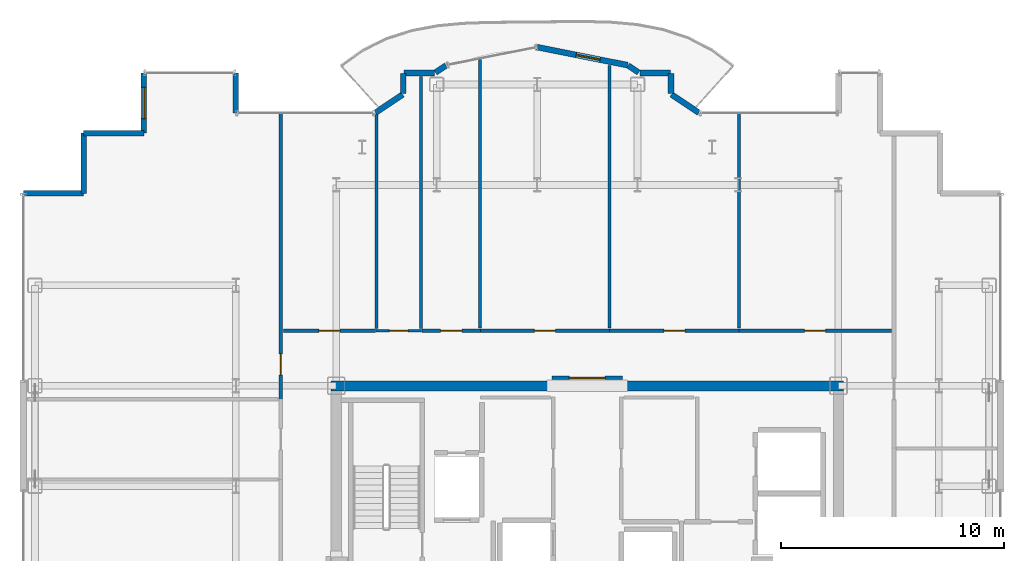
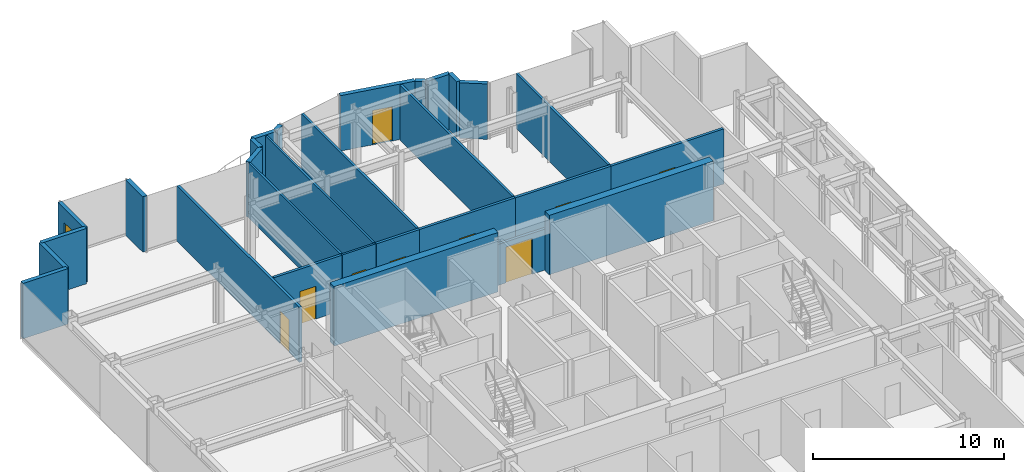
# One storey, part 14 of 16: 29 walls, 9 doors, 1 window, 10 openings.
"""IFC4 building model written with IfcOpenShell, lengths in metres."""

from ifc_helpers import new_model, si_unit, direction, frame, frame_2d, origin, place, context, subcontext, project, spatial, rectangle, extrude, source, transform, mapped, material, layer, layer_set, type_object, element, fill, save


model = new_model("IFC4")

# Units and contexts
model_context = context("Model", 3, precision=1e-05, world=origin(), true_north=direction((0.0, 1.0)))
body_context = subcontext(model_context, "Body", "Model", "MODEL_VIEW")
ifc_project = project(units=[si_unit("LENGTHUNIT", "METRE"), si_unit("AREAUNIT", "SQUARE_METRE"), si_unit("VOLUMEUNIT", "CUBIC_METRE"), si_unit("PLANEANGLEUNIT", "RADIAN"), si_unit("MASSUNIT", "GRAM", prefix="KILO")], contexts=[model_context])

# Site, building, storey
site_placement = place(None, origin())
site = spatial("IfcSite", under=ifc_project, at=site_placement, CompositionType="ELEMENT")
building_placement = place(site_placement, origin())
building = spatial("IfcBuilding", under=site, at=building_placement, Name="Nefas-Gora Pilgrimage Tower", CompositionType="ELEMENT")
storey_placement = place(building_placement, frame((0.0, 0.0, 276.0)))
storey = spatial("IfcBuildingStorey", under=building, at=storey_placement, Name="L69", CompositionType="ELEMENT", Elevation=276.0)

# Walls
ifc_material_1 = material(Name="Concrete C50/60", Category="concrete")
ifc_layer_1 = layer(ifc_material_1, 0.449951171875)
ifc_layer_set_1 = layer_set([ifc_layer_1], Name="Concrete C50/60")
wall_type_1 = type_object("IfcWallType", Name="SW-CORE-450", PredefinedType="SHEAR", material=ifc_layer_set_1)
shared_shape_1 = source(origin(), body_context, "Body", "SweptSolid", [
    extrude(rectangle(XDim=9.925048828125, YDim=0.449951171875, at=frame_2d((4.96240234375, 0.0))), origin(), (0.0, 0.0, 1.0), 3.800048828125),
])
for number, where, z_axis, x_axis, name in (
    (1, (-11.47509765625, 9.0, 0.0), (0.0, 0.0, 1.0), (1.0, 0.0, 0.0), "L69 Core Shear Wall N-West"),
    (2, (1.550048828125, 9.0, 0.0), (0.0, 0.0, 1.0), (1.0, 0.0, 0.0), "L69 Core Shear Wall N-East"),
):
    element("IfcWall", number, at=place(storey_placement, frame(where, z_axis=z_axis, x_axis=x_axis)), inside=storey, type_object=wall_type_1, Name=name, PredefinedType="SHEAR", context=body_context, shape_type="MappedRepresentation", body=[
        mapped(shared_shape_1, transform((0.0, 0.0, 0.0), x_axis=(1.0, 0.0, 0.0), y_axis=(0.0, 1.0, 0.0), z_axis=(0.0, 0.0, 1.0), scale=1.0)),
    ])
ifc_material_2 = material(Name="Precast concrete C40/50", Category="concrete")
ifc_layer_2 = layer(ifc_material_2, 0.260009765625)
ifc_layer_set_2 = layer_set([ifc_layer_2], Name="Precast concrete C40/50")
wall_type_2 = type_object("IfcWallType", Name="EW-PORTAL-260", PredefinedType="SOLIDWALL", material=ifc_layer_set_2)
shared_shape_2 = source(origin(), body_context, "Body", "SweptSolid", [
    extrude(rectangle(XDim=1.800048828125, YDim=0.260009765625, at=frame_2d((0.89990234375, 0.0))), origin(), (0.0, 0.0, 1.0), 3.550048828125),
])
wall_1_placement = place(storey_placement, frame((-15.75, 21.219970703125, 0.0), z_axis=(0.0, 0.0, 1.0), x_axis=(0.0, 1.0, 0.0)))
element("IfcWall", 3, at=wall_1_placement, inside=storey, type_object=wall_type_2, Name="L69 Lobe Shoulder Precast Spandrel Pier 20", PredefinedType="SOLIDWALL", context=body_context, shape_type="MappedRepresentation", body=[
    mapped(shared_shape_2, transform((0.0, 0.0, 0.0), x_axis=(1.0, 0.0, 0.0), y_axis=(0.0, 1.0, 0.0), z_axis=(0.0, 0.0, 1.0), scale=1.0)),
])

# Wall, opening, window
ifc_material_3 = material(Name="Precast concrete C45/55", Category="concrete")
ifc_layer_3 = layer(ifc_material_3, 0.239990234375)
ifc_layer_set_3 = layer_set([ifc_layer_3], Name="Precast concrete C45/55")
wall_type_3 = type_object("IfcWallType", Name="EW-SERR-240", PredefinedType="SHEAR", material=ifc_layer_set_3)
shared_shape_3 = source(origin(), body_context, "Body", "SweptSolid", [
    extrude(rectangle(XDim=2.699951171875, YDim=0.239990234375, at=frame_2d((1.35009765625, 0.0))), origin(), (0.0, 0.0, 1.0), 3.550048828125),
])
wall_2_placement = place(storey_placement, frame((-19.8701171875, 23.02001953125, 0.0), z_axis=(0.0, 0.0, 1.0), x_axis=(0.0, -1.0, 0.0)))
wall_2 = element("IfcWall", 4, at=wall_2_placement, inside=storey, type_object=wall_type_3, Name="L69 Serrated Corner Shear Pier Wall 21", PredefinedType="SHEAR", context=body_context, shape_type="MappedRepresentation", body=[
    mapped(shared_shape_3, transform((0.0, 0.0, 0.0), x_axis=(1.0, 0.0, 0.0), y_axis=(0.0, 1.0, 0.0), z_axis=(0.0, 0.0, 1.0), scale=1.0)),
])
opening_1_placement = place(wall_2_placement, frame((0.64990234375, 0.0, 0.85009765625)))
opening_1 = element("IfcOpeningElement", 5, at=opening_1_placement, cuts=wall_2, Name="Opening W-V2", PredefinedType="OPENING", context=body_context, shape_type="SweptSolid", body=[
    extrude(rectangle(XDim=1.39990234375, YDim=1.800048828125, at=frame_2d((0.699951171875, 0.89990234375))), frame((0.0, 0.1298828125, 0.0), z_axis=(0.0, -1.0, 0.0), x_axis=(1.0, 0.0, 0.0)), (0.0, 0.0, 1.0), 0.260009765625),
])
ifc_material_4 = material(Name="Dark ceramic-fritted operable aluminium-glass window", Category="aluminium")
window_type = type_object("IfcWindowType", Name="WIN-VENT-1400x1800", PartitioningType="SINGLE_PANEL", PredefinedType="WINDOW", material=ifc_material_4)
shared_shape_4 = source(origin(), body_context, "Body", "SweptSolid", [
    extrude(rectangle(XDim=1.39990234375, YDim=1.800048828125, at=frame_2d((0.699951171875, 0.89990234375))), frame((0.0, 0.030029296875, 0.0), z_axis=(0.0, -1.0, 0.0), x_axis=(1.0, 0.0, 0.0)), (0.0, 0.0, 1.0), 0.06005859375),
])
window_placement = place(opening_1_placement, origin())
window = element("IfcWindow", 6, at=window_placement, inside=storey, type_object=window_type, Name="L69 Operable Parallel-Outswing Window 21", OverallHeight=1.800048828125, OverallWidth=1.39990234375, PartitioningType="SINGLE_PANEL", PredefinedType="WINDOW", context=body_context, shape_type="MappedRepresentation", body=[
    mapped(shared_shape_4, transform((0.0, 0.0, 0.0), x_axis=(1.0, 0.0, 0.0), y_axis=(0.0, 1.0, 0.0), z_axis=(0.0, 0.0, 1.0), scale=1.0)),
])
fill(opening_1, window)

# Walls
for number, where, z_axis, x_axis, name in (
    (7, (-19.8701171875, 20.320068359375, 0.0), (0.0, 0.0, 1.0), (-1.0, 0.0, 0.0), "L69 Serrated Corner Shear Pier Wall 22"),
    (8, (-22.570068359375, 20.320068359375, 0.0), (0.0, 0.0, 1.0), (0.0, -1.0, 0.0), "L69 Serrated Corner Shear Pier Wall 23"),
    (9, (-22.570068359375, 17.6201171875, 0.0), (0.0, 0.0, 1.0), (-1.0, 0.0, 0.0), "L69 Serrated Corner Shear Pier Wall 24"),
):
    element("IfcWall", number, at=place(storey_placement, frame(where, z_axis=z_axis, x_axis=x_axis)), inside=storey, type_object=wall_type_3, Name=name, PredefinedType="SHEAR", context=body_context, shape_type="MappedRepresentation", body=[
        mapped(shared_shape_3, transform((0.0, 0.0, 0.0), x_axis=(1.0, 0.0, 0.0), y_axis=(0.0, 1.0, 0.0), z_axis=(0.0, 0.0, 1.0), scale=1.0)),
    ])
shared_shape_5 = source(origin(), body_context, "Body", "SweptSolid", [
    extrude(rectangle(XDim=1.468994140625, YDim=0.260009765625, at=frame_2d((0.734375, 0.0))), origin(), (0.0, 0.0, 1.0), 3.550048828125),
])
for number, where, z_axis, x_axis, name in (
    (10, (4.99462890625, 21.235595703125, 0.0), (0.0, 0.0, 1.0), (-0.831461760506, 0.555581983884, 0.0), "L69 Lobe Shoulder Precast Spandrel Pier 11"),
    (11, (-8.273193359375, 22.0517578125, 0.0), (0.0, 0.0, 1.0), (-0.831461760506, -0.555581983884, 0.0), "L69 Lobe Shoulder Precast Spandrel Pier 19"),
):
    element("IfcWall", number, at=place(storey_placement, frame(where, z_axis=z_axis, x_axis=x_axis)), inside=storey, type_object=wall_type_2, Name=name, PredefinedType="SOLIDWALL", context=body_context, shape_type="MappedRepresentation", body=[
        mapped(shared_shape_5, transform((0.0, 0.0, 0.0), x_axis=(1.0, 0.0, 0.0), y_axis=(0.0, 1.0, 0.0), z_axis=(0.0, 0.0, 1.0), scale=1.0)),
    ])
shared_shape_6 = source(origin(), body_context, "Body", "SweptSolid", [
    extrude(rectangle(XDim=0.896728515625, YDim=0.260009765625, at=frame_2d((0.4482421875, 0.0))), origin(), (0.0, 0.0, 1.0), 3.550048828125),
])
for number, where, z_axis, x_axis, name in (
    (12, (3.75, 22.09521484375, 0.0), (0.0, 0.0, 1.0), (0.0, 1.0, 0.0), "L69 Lobe Shoulder Precast Spandrel Pier 12"),
    (13, (-8.25, 22.991943359375, 0.0), (0.0, 0.0, 1.0), (0.0, -1.0, 0.0), "L69 Lobe Shoulder Precast Spandrel Pier 18"),
):
    element("IfcWall", number, at=place(storey_placement, frame(where, z_axis=z_axis, x_axis=x_axis)), inside=storey, type_object=wall_type_2, Name=name, PredefinedType="SOLIDWALL", context=body_context, shape_type="MappedRepresentation", body=[
        mapped(shared_shape_6, transform((0.0, 0.0, 0.0), x_axis=(1.0, 0.0, 0.0), y_axis=(0.0, 1.0, 0.0), z_axis=(0.0, 0.0, 1.0), scale=1.0)),
    ])
shared_shape_7 = source(origin(), body_context, "Body", "SweptSolid", [
    extrude(rectangle(XDim=1.369873046875, YDim=0.260009765625, at=frame_2d((0.68505859375, 0.0))), origin(), (0.0, 0.0, 1.0), 3.550048828125),
])
for number, where, z_axis, x_axis, name in (
    (14, (3.721923828125, 23.02001953125, 0.0), (0.0, 0.0, 1.0), (-1.0, 0.0, 0.0), "L69 Lobe Shoulder Precast Spandrel Pier 13"),
    (15, (-6.85205078125, 23.02001953125, 0.0), (0.0, 0.0, 1.0), (-1.0, 0.0, 0.0), "L69 Lobe Shoulder Precast Spandrel Pier 17"),
):
    element("IfcWall", number, at=place(storey_placement, frame(where, z_axis=z_axis, x_axis=x_axis)), inside=storey, type_object=wall_type_2, Name=name, PredefinedType="SOLIDWALL", context=body_context, shape_type="MappedRepresentation", body=[
        mapped(shared_shape_7, transform((0.0, 0.0, 0.0), x_axis=(1.0, 0.0, 0.0), y_axis=(0.0, 1.0, 0.0), z_axis=(0.0, 0.0, 1.0), scale=1.0)),
    ])
shared_shape_8 = source(origin(), body_context, "Body", "SweptSolid", [
    extrude(rectangle(XDim=0.5654296875, YDim=0.260009765625, at=frame_2d((0.28271484375, 0.0))), origin(), (0.0, 0.0, 1.0), 3.550048828125),
])
for number, where, z_axis, x_axis, name in (
    (16, (2.30078125, 23.03564453125, 0.0), (0.0, 0.0, 1.0), (-0.831651492666, 0.555297933317, 0.0), "L69 Lobe Shoulder Precast Spandrel Pier 14"),
    (17, (-6.33056640625, 23.349609375, 0.0), (0.0, 0.0, 1.0), (-0.831651492666, -0.555297933317, 0.0), "L69 Lobe Shoulder Precast Spandrel Pier 16"),
):
    element("IfcWall", number, at=place(storey_placement, frame(where, z_axis=z_axis, x_axis=x_axis)), inside=storey, type_object=wall_type_2, Name=name, PredefinedType="SOLIDWALL", context=body_context, shape_type="MappedRepresentation", body=[
        mapped(shared_shape_8, transform((0.0, 0.0, 0.0), x_axis=(1.0, 0.0, 0.0), y_axis=(0.0, 1.0, 0.0), z_axis=(0.0, 0.0, 1.0), scale=1.0)),
    ])

# Wall, opening, door
shared_shape_9 = source(origin(), body_context, "Body", "SweptSolid", [
    extrude(rectangle(XDim=4.136962890625, YDim=0.260009765625, at=frame_2d((2.068359375, 0.0))), origin(), (0.0, 0.0, 1.0), 3.550048828125),
])
wall_3_placement = place(storey_placement, frame((1.807373046875, 23.365234375, 0.0), z_axis=(0.0, 0.0, 1.0), x_axis=(-0.980782170794, 0.195105954428, 0.0)))
wall_3 = element("IfcWall", 18, at=wall_3_placement, inside=storey, type_object=wall_type_2, Name="L69 Insulated Terrace Portal Wall 15", PredefinedType="SOLIDWALL", context=body_context, shape_type="MappedRepresentation", body=[
    mapped(shared_shape_9, transform((0.0, 0.0, 0.0), x_axis=(1.0, 0.0, 0.0), y_axis=(0.0, 1.0, 0.0), z_axis=(0.0, 0.0, 1.0), scale=1.0)),
])
opening_2_placement = place(wall_3_placement, frame((1.2607421875, 0.0, 0.0)))
opening_2 = element("IfcOpeningElement", 19, at=opening_2_placement, cuts=wall_3, Name="Opening ED-B1", PredefinedType="OPENING", context=body_context, shape_type="SweptSolid", body=[
    extrude(rectangle(XDim=1.10009765625, YDim=2.199951171875, at=frame_2d((0.550048828125, 1.10009765625))), frame((0.0, 0.139892578125, 0.0), z_axis=(0.0, -1.0, 0.0), x_axis=(1.0, 0.0, 0.0)), (0.0, 0.0, 1.0), 0.280029296875),
])
ifc_material_5 = material(Name="Thermally broken glazed aluminium balcony door", Category="aluminium")
door_type_1 = type_object("IfcDoorType", Name="DR-EXT-BAL-1100", OperationType="NOTDEFINED", PredefinedType="DOOR", material=ifc_material_5)
shared_shape_10 = source(origin(), body_context, "Body", "SweptSolid", [
    extrude(rectangle(XDim=1.10009765625, YDim=2.199951171875, at=frame_2d((0.550048828125, 1.10009765625))), frame((0.0, 0.02490234375, 0.0), z_axis=(0.0, -1.0, 0.0), x_axis=(1.0, 0.0, 0.0)), (0.0, 0.0, 1.0), 0.050048828125),
])
door_1_placement = place(opening_2_placement, origin())
door_1 = element("IfcDoor", 20, at=door_1_placement, inside=storey, type_object=door_type_1, Name="L69 Exterior Door (L69 N Lobe Wave Balcony)", OperationType="SINGLE_SWING_LEFT", OverallHeight=2.199951171875, OverallWidth=1.10009765625, PredefinedType="DOOR", context=body_context, shape_type="MappedRepresentation", body=[
    mapped(shared_shape_10, transform((0.0, 0.0, 0.0), x_axis=(1.0, 0.0, 0.0), y_axis=(0.0, 1.0, 0.0), z_axis=(0.0, 0.0, 1.0), scale=1.0)),
])
fill(opening_2, door_1)

ifc_material_6 = material(Name="Moisture-resistant fire-rated gypsum partition")
ifc_layer_4 = layer(ifc_material_6, 0.1201171875)
ifc_layer_set_4 = layer_set([ifc_layer_4], Name="Moisture-resistant fire-rated gypsum partition")
wall_type_4 = type_object("IfcWallType", Name="IW-WET-120", PredefinedType="PLUMBINGWALL", material=ifc_layer_set_4)
shared_shape_11 = source(origin(), body_context, "Body", "SweptSolid", [
    extrude(rectangle(XDim=2.02001953125, YDim=0.1201171875, at=frame_2d((1.010009765625, 0.0))), origin(), (0.0, 0.0, 1.0), 3.534912109375),
])
wall_4_placement = place(storey_placement, frame((-9.4599609375, 11.469970703125, 0.0), z_axis=(0.0, 0.0, 1.0), x_axis=(1.0, 0.0, 0.0)))
wall_4 = element("IfcWall", 21, at=wall_4_placement, inside=storey, type_object=wall_type_4, Name="L69 Accessible Unisex WC Partition Wall 30", PredefinedType="PLUMBINGWALL", context=body_context, shape_type="MappedRepresentation", body=[
    mapped(shared_shape_11, transform((0.0, 0.0, 0.0), x_axis=(1.0, 0.0, 0.0), y_axis=(0.0, 1.0, 0.0), z_axis=(0.0, 0.0, 1.0), scale=1.0)),
])
opening_3_placement = place(wall_4_placement, frame((0.5849609375, 0.0, 0.0)))
opening_3 = element("IfcOpeningElement", 22, at=opening_3_placement, cuts=wall_4, Name="Opening ID-BT1", PredefinedType="OPENING", context=body_context, shape_type="SweptSolid", body=[
    extrude(rectangle(XDim=0.85009765625, YDim=2.10009765625, at=frame_2d((0.425048828125, 1.050048828125))), frame((0.0, 0.070068359375, 0.0), z_axis=(0.0, -1.0, 0.0), x_axis=(1.0, 0.0, 0.0)), (0.0, 0.0, 1.0), 0.14013671875),
])
ifc_material_7 = material(Name="Moisture-resistant fire-rated timber door", Category="wood")
door_type_2 = type_object("IfcDoorType", Name="DR-INT-BATH-850", OperationType="NOTDEFINED", PredefinedType="DOOR", material=ifc_material_7)
shared_shape_12 = source(origin(), body_context, "Body", "SweptSolid", [
    extrude(rectangle(XDim=0.85009765625, YDim=2.10009765625, at=frame_2d((0.425048828125, 1.050048828125))), frame((0.0, 0.02490234375, 0.0), z_axis=(0.0, -1.0, 0.0), x_axis=(1.0, 0.0, 0.0)), (0.0, 0.0, 1.0), 0.050048828125),
])
door_2_placement = place(opening_3_placement, origin())
door_2 = element("IfcDoor", 23, at=door_2_placement, inside=storey, type_object=door_type_2, Name="L69 Accessible Unisex WC Door 13", OperationType="SINGLE_SWING_LEFT", OverallHeight=2.10009765625, OverallWidth=0.85009765625, PredefinedType="DOOR", context=body_context, shape_type="MappedRepresentation", body=[
    mapped(shared_shape_12, transform((0.0, 0.0, 0.0), x_axis=(1.0, 0.0, 0.0), y_axis=(0.0, 1.0, 0.0), z_axis=(0.0, 0.0, 1.0), scale=1.0)),
])
fill(opening_3, door_2)

# Walls
shared_shape_13 = source(origin(), body_context, "Body", "SweptSolid", [
    extrude(rectangle(XDim=11.280029296875, YDim=0.1201171875, at=frame_2d((5.64013671875, 0.0))), origin(), (0.0, 0.0, 1.0), 3.534912109375),
])
wall_5_placement = place(storey_placement, frame((-7.449951171875, 11.570068359375, 0.0), z_axis=(0.0, 0.0, 1.0), x_axis=(0.0, 1.0, 0.0)))
element("IfcWall", 24, at=wall_5_placement, inside=storey, type_object=wall_type_4, Name="L69 Accessible Unisex WC Partition Wall 31", PredefinedType="PLUMBINGWALL", context=body_context, shape_type="MappedRepresentation", body=[
    mapped(shared_shape_13, transform((0.0, 0.0, 0.0), x_axis=(1.0, 0.0, 0.0), y_axis=(0.0, 1.0, 0.0), z_axis=(0.0, 0.0, 1.0), scale=1.0)),
])
shared_shape_14 = source(origin(), body_context, "Body", "SweptSolid", [
    extrude(rectangle(XDim=9.586669921875, YDim=0.1201171875, at=frame_2d((4.79345703125, 0.0))), origin(), (0.0, 0.0, 1.0), 3.534912109375),
])
wall_6_placement = place(storey_placement, frame((-9.449951171875, 11.570068359375, 0.0), z_axis=(0.0, 0.0, 1.0), x_axis=(0.0, 1.0, 0.0)))
element("IfcWall", 25, at=wall_6_placement, inside=storey, type_object=wall_type_4, Name="L69 Accessible Unisex WC Partition Wall 32", PredefinedType="PLUMBINGWALL", context=body_context, shape_type="MappedRepresentation", body=[
    mapped(shared_shape_14, transform((0.0, 0.0, 0.0), x_axis=(1.0, 0.0, 0.0), y_axis=(0.0, 1.0, 0.0), z_axis=(0.0, 0.0, 1.0), scale=1.0)),
])

# Wall, opening, door
ifc_material_8 = material(Name="Gypsum acoustic stud partition")
ifc_layer_5 = layer(ifc_material_8, 0.159912109375)
ifc_layer_set_5 = layer_set([ifc_layer_5], Name="Gypsum acoustic stud partition")
wall_type_5 = type_object("IfcWallType", Name="IW-CORR-160", PredefinedType="PARTITIONING", material=ifc_layer_set_5)
shared_shape_15 = source(origin(), body_context, "Body", "SweptSolid", [
    extrude(rectangle(XDim=4.125, YDim=0.159912109375, at=frame_2d((2.0625, 0.0))), origin(), (0.0, 0.0, 1.0), 3.534912109375),
])
wall_7_placement = place(storey_placement, frame((-13.6201171875, 11.469970703125, 0.0), z_axis=(0.0, 0.0, 1.0), x_axis=(1.0, 0.0, 0.0)))
wall_7 = element("IfcWall", 26, at=wall_7_placement, inside=storey, type_object=wall_type_5, Name="L69 Pilgrim Contemplative Lounge Partition Wall 47", PredefinedType="PARTITIONING", context=body_context, shape_type="MappedRepresentation", body=[
    mapped(shared_shape_15, transform((0.0, 0.0, 0.0), x_axis=(1.0, 0.0, 0.0), y_axis=(0.0, 1.0, 0.0), z_axis=(0.0, 0.0, 1.0), scale=1.0)),
])
opening_4_placement = place(wall_7_placement, frame((1.58740234375, 0.0, 0.0)))
opening_4 = element("IfcOpeningElement", 27, at=opening_4_placement, cuts=wall_7, Name="Opening ID-GR1", PredefinedType="OPENING", context=body_context, shape_type="SweptSolid", body=[
    extrude(rectangle(XDim=0.949951171875, YDim=2.10009765625, at=frame_2d((0.47509765625, 1.050048828125))), frame((0.0, 0.08984375, 0.0), z_axis=(0.0, -1.0, 0.0), x_axis=(1.0, 0.0, 0.0)), (0.0, 0.0, 1.0), 0.179931640625),
])
ifc_material_9 = material(Name="Solid core oak fire-rated guest entrance door")
door_type_3 = type_object("IfcDoorType", Name="DR-INT-GUEST-950", OperationType="NOTDEFINED", PredefinedType="DOOR", material=ifc_material_9)
shared_shape_16 = source(origin(), body_context, "Body", "SweptSolid", [
    extrude(rectangle(XDim=0.949951171875, YDim=2.10009765625, at=frame_2d((0.47509765625, 1.050048828125))), frame((0.0, 0.02490234375, 0.0), z_axis=(0.0, -1.0, 0.0), x_axis=(1.0, 0.0, 0.0)), (0.0, 0.0, 1.0), 0.050048828125),
])
door_3_placement = place(opening_4_placement, origin())
door_3 = element("IfcDoor", 28, at=door_3_placement, inside=storey, type_object=door_type_3, Name="L69 Pilgrim Contemplative Lounge Door 22", OperationType="SINGLE_SWING_RIGHT", OverallHeight=2.10009765625, OverallWidth=0.949951171875, PredefinedType="DOOR", context=body_context, shape_type="MappedRepresentation", body=[
    mapped(shared_shape_16, transform((0.0, 0.0, 0.0), x_axis=(1.0, 0.0, 0.0), y_axis=(0.0, 1.0, 0.0), z_axis=(0.0, 0.0, 1.0), scale=1.0)),
])
fill(opening_4, door_3)

# Wall
ifc_material_10 = material(Name="Gypsum twin-stud partition")
ifc_layer_6 = layer(ifc_material_10, 0.139892578125)
ifc_layer_set_6 = layer_set([ifc_layer_6], Name="Gypsum twin-stud partition")
wall_type_6 = type_object("IfcWallType", Name="IW-UNIT-140", PredefinedType="PARTITIONING", material=ifc_layer_set_6)
shared_shape_17 = source(origin(), body_context, "Body", "SweptSolid", [
    extrude(rectangle(XDim=9.64990234375, YDim=0.139892578125, at=frame_2d((4.824951171875, 0.0))), origin(), (0.0, 0.0, 1.0), 3.534912109375),
])
wall_8_placement = place(storey_placement, frame((6.794921875, 11.590087890625, 0.0), z_axis=(0.0, 0.0, 1.0), x_axis=(0.0, 1.0, 0.0)))
element("IfcWall", 29, at=wall_8_placement, inside=storey, type_object=wall_type_6, Name="L69 Pilgrim Contemplative Lounge Partition Wall 53", PredefinedType="PARTITIONING", context=body_context, shape_type="MappedRepresentation", body=[
    mapped(shared_shape_17, transform((0.0, 0.0, 0.0), x_axis=(1.0, 0.0, 0.0), y_axis=(0.0, 1.0, 0.0), z_axis=(0.0, 0.0, 1.0), scale=1.0)),
])

# Wall, opening, door
shared_shape_18 = source(origin(), body_context, "Body", "SweptSolid", [
    extrude(rectangle(XDim=12.844970703125, YDim=0.159912109375, at=frame_2d((6.42236328125, 0.0))), origin(), (0.0, 0.0, 1.0), 3.534912109375),
])
wall_9_placement = place(storey_placement, frame((-13.739990234375, 8.39501953125, 0.0), z_axis=(0.0, 0.0, 1.0), x_axis=(0.0, 1.0, 0.0)))
wall_9 = element("IfcWall", 30, at=wall_9_placement, inside=storey, type_object=wall_type_5, Name="L69 Pilgrim Fellowship Seminar Room Partition Wall 41", PredefinedType="PARTITIONING", context=body_context, shape_type="MappedRepresentation", body=[
    mapped(shared_shape_18, transform((0.0, 0.0, 0.0), x_axis=(1.0, 0.0, 0.0), y_axis=(0.0, 1.0, 0.0), z_axis=(0.0, 0.0, 1.0), scale=1.0)),
])
opening_5_placement = place(wall_9_placement, frame((1.08251953125, 0.0, 0.0)))
opening_5 = element("IfcOpeningElement", 31, at=opening_5_placement, cuts=wall_9, Name="Opening ID-GR1", PredefinedType="OPENING", context=body_context, shape_type="SweptSolid", body=[
    extrude(rectangle(XDim=0.949951171875, YDim=2.10009765625, at=frame_2d((0.47509765625, 1.050048828125))), frame((0.0, 0.08984375, 0.0), z_axis=(0.0, -1.0, 0.0), x_axis=(1.0, 0.0, 0.0)), (0.0, 0.0, 1.0), 0.179931640625),
])
door_4_placement = place(opening_5_placement, origin())
door_4 = element("IfcDoor", 32, at=door_4_placement, inside=storey, type_object=door_type_3, Name="L69 Pilgrim Fellowship Seminar Room Door 18", OperationType="SINGLE_SWING_RIGHT", OverallHeight=2.10009765625, OverallWidth=0.949951171875, PredefinedType="DOOR", context=body_context, shape_type="MappedRepresentation", body=[
    mapped(shared_shape_16, transform((0.0, 0.0, 0.0), x_axis=(1.0, 0.0, 0.0), y_axis=(0.0, 1.0, 0.0), z_axis=(0.0, 0.0, 1.0), scale=1.0)),
])
fill(opening_5, door_4)

shared_shape_19 = source(origin(), body_context, "Body", "SweptSolid", [
    extrude(rectangle(XDim=2.610107421875, YDim=0.159912109375, at=frame_2d((1.30517578125, 0.0))), origin(), (0.0, 0.0, 1.0), 3.534912109375),
])
wall_10_placement = place(storey_placement, frame((-7.405029296875, 11.469970703125, 0.0), z_axis=(0.0, 0.0, 1.0), x_axis=(1.0, 0.0, 0.0)))
wall_10 = element("IfcWall", 33, at=wall_10_placement, inside=storey, type_object=wall_type_5, Name="L69 Pilgrim Contemplative Lounge Partition Wall 48", PredefinedType="PARTITIONING", context=body_context, shape_type="MappedRepresentation", body=[
    mapped(shared_shape_19, transform((0.0, 0.0, 0.0), x_axis=(1.0, 0.0, 0.0), y_axis=(0.0, 1.0, 0.0), z_axis=(0.0, 0.0, 1.0), scale=1.0)),
])
opening_6_placement = place(wall_10_placement, frame((0.830078125, 0.0, 0.0)))
opening_6 = element("IfcOpeningElement", 34, at=opening_6_placement, cuts=wall_10, Name="Opening ID-GR1", PredefinedType="OPENING", context=body_context, shape_type="SweptSolid", body=[
    extrude(rectangle(XDim=0.949951171875, YDim=2.10009765625, at=frame_2d((0.47509765625, 1.050048828125))), frame((0.0, 0.08984375, 0.0), z_axis=(0.0, -1.0, 0.0), x_axis=(1.0, 0.0, 0.0)), (0.0, 0.0, 1.0), 0.179931640625),
])
door_5_placement = place(opening_6_placement, origin())
door_5 = element("IfcDoor", 35, at=door_5_placement, inside=storey, type_object=door_type_3, Name="L69 Pilgrim Contemplative Lounge Door 23", OperationType="SINGLE_SWING_LEFT", OverallHeight=2.10009765625, OverallWidth=0.949951171875, PredefinedType="DOOR", context=body_context, shape_type="MappedRepresentation", body=[
    mapped(shared_shape_16, transform((0.0, 0.0, 0.0), x_axis=(1.0, 0.0, 0.0), y_axis=(0.0, 1.0, 0.0), z_axis=(0.0, 0.0, 1.0), scale=1.0)),
])
fill(opening_6, door_5)

# Wall
shared_shape_20 = source(origin(), body_context, "Body", "SweptSolid", [
    extrude(rectangle(XDim=12.096435546875, YDim=0.139892578125, at=frame_2d((6.04833984375, 0.0))), origin(), (0.0, 0.0, 1.0), 3.534912109375),
])
wall_11_placement = place(storey_placement, frame((-4.804931640625, 11.590087890625, 0.0), z_axis=(0.0, 0.0, 1.0), x_axis=(0.0, 1.0, 0.0)))
element("IfcWall", 36, at=wall_11_placement, inside=storey, type_object=wall_type_6, Name="L69 Pilgrim Contemplative Lounge Partition Wall 49", PredefinedType="PARTITIONING", context=body_context, shape_type="MappedRepresentation", body=[
    mapped(shared_shape_20, transform((0.0, 0.0, 0.0), x_axis=(1.0, 0.0, 0.0), y_axis=(0.0, 1.0, 0.0), z_axis=(0.0, 0.0, 1.0), scale=1.0)),
])

# Wall, opening, door
shared_shape_21 = source(origin(), body_context, "Body", "SweptSolid", [
    extrude(rectangle(XDim=5.804931640625, YDim=0.159912109375, at=frame_2d((2.90234375, 0.0))), origin(), (0.0, 0.0, 1.0), 3.534912109375),
])
wall_12_placement = place(storey_placement, frame((-4.804931640625, 11.469970703125, 0.0), z_axis=(0.0, 0.0, 1.0), x_axis=(1.0, 0.0, 0.0)))
wall_12 = element("IfcWall", 37, at=wall_12_placement, inside=storey, type_object=wall_type_5, Name="L69 Pilgrim Contemplative Lounge Partition Wall 50", PredefinedType="PARTITIONING", context=body_context, shape_type="MappedRepresentation", body=[
    mapped(shared_shape_21, transform((0.0, 0.0, 0.0), x_axis=(1.0, 0.0, 0.0), y_axis=(0.0, 1.0, 0.0), z_axis=(0.0, 0.0, 1.0), scale=1.0)),
])
opening_7_placement = place(wall_12_placement, frame((2.427490234375, 0.0, 0.0)))
opening_7 = element("IfcOpeningElement", 38, at=opening_7_placement, cuts=wall_12, Name="Opening ID-GR1", PredefinedType="OPENING", context=body_context, shape_type="SweptSolid", body=[
    extrude(rectangle(XDim=0.949951171875, YDim=2.10009765625, at=frame_2d((0.47509765625, 1.050048828125))), frame((0.0, 0.08984375, 0.0), z_axis=(0.0, -1.0, 0.0), x_axis=(1.0, 0.0, 0.0)), (0.0, 0.0, 1.0), 0.179931640625),
])
door_6_placement = place(opening_7_placement, origin())
door_6 = element("IfcDoor", 39, at=door_6_placement, inside=storey, type_object=door_type_3, Name="L69 Pilgrim Contemplative Lounge Door 24", OperationType="SINGLE_SWING_RIGHT", OverallHeight=2.10009765625, OverallWidth=0.949951171875, PredefinedType="DOOR", context=body_context, shape_type="MappedRepresentation", body=[
    mapped(shared_shape_16, transform((0.0, 0.0, 0.0), x_axis=(1.0, 0.0, 0.0), y_axis=(0.0, 1.0, 0.0), z_axis=(0.0, 0.0, 1.0), scale=1.0)),
])
fill(opening_7, door_6)

wall_13_placement = place(storey_placement, frame((1.0, 11.469970703125, 0.0), z_axis=(0.0, 0.0, 1.0), x_axis=(1.0, 0.0, 0.0)))
wall_13 = element("IfcWall", 40, at=wall_13_placement, inside=storey, type_object=wall_type_5, Name="L69 Pilgrim Contemplative Lounge Partition Wall 52", PredefinedType="PARTITIONING", context=body_context, shape_type="MappedRepresentation", body=[
    mapped(shared_shape_21, transform((0.0, 0.0, 0.0), x_axis=(1.0, 0.0, 0.0), y_axis=(0.0, 1.0, 0.0), z_axis=(0.0, 0.0, 1.0), scale=1.0)),
])
opening_8_placement = place(wall_13_placement, frame((2.427490234375, 0.0, 0.0)))
opening_8 = element("IfcOpeningElement", 41, at=opening_8_placement, cuts=wall_13, Name="Opening ID-GR1", PredefinedType="OPENING", context=body_context, shape_type="SweptSolid", body=[
    extrude(rectangle(XDim=0.949951171875, YDim=2.10009765625, at=frame_2d((0.47509765625, 1.050048828125))), frame((0.0, 0.08984375, 0.0), z_axis=(0.0, -1.0, 0.0), x_axis=(1.0, 0.0, 0.0)), (0.0, 0.0, 1.0), 0.179931640625),
])
door_7_placement = place(opening_8_placement, origin())
door_7 = element("IfcDoor", 42, at=door_7_placement, inside=storey, type_object=door_type_3, Name="L69 Pilgrim Contemplative Lounge Door 25", OperationType="SINGLE_SWING_LEFT", OverallHeight=2.10009765625, OverallWidth=0.949951171875, PredefinedType="DOOR", context=body_context, shape_type="MappedRepresentation", body=[
    mapped(shared_shape_16, transform((0.0, 0.0, 0.0), x_axis=(1.0, 0.0, 0.0), y_axis=(0.0, 1.0, 0.0), z_axis=(0.0, 0.0, 1.0), scale=1.0)),
])
fill(opening_8, door_7)

shared_shape_22 = source(origin(), body_context, "Body", "SweptSolid", [
    extrude(rectangle(XDim=6.8251953125, YDim=0.159912109375, at=frame_2d((3.41259765625, 0.0))), origin(), (0.0, 0.0, 1.0), 3.534912109375),
])
wall_14_placement = place(storey_placement, frame((6.794921875, 11.469970703125, 0.0), z_axis=(0.0, 0.0, 1.0), x_axis=(1.0, 0.0, 0.0)))
wall_14 = element("IfcWall", 43, at=wall_14_placement, inside=storey, type_object=wall_type_5, Name="L69 Pilgrim Contemplative Lounge Partition Wall 54", PredefinedType="PARTITIONING", context=body_context, shape_type="MappedRepresentation", body=[
    mapped(shared_shape_22, transform((0.0, 0.0, 0.0), x_axis=(1.0, 0.0, 0.0), y_axis=(0.0, 1.0, 0.0), z_axis=(0.0, 0.0, 1.0), scale=1.0)),
])
opening_9_placement = place(wall_14_placement, frame((2.9375, 0.0, 0.0)))
opening_9 = element("IfcOpeningElement", 44, at=opening_9_placement, cuts=wall_14, Name="Opening ID-GR1", PredefinedType="OPENING", context=body_context, shape_type="SweptSolid", body=[
    extrude(rectangle(XDim=0.949951171875, YDim=2.10009765625, at=frame_2d((0.47509765625, 1.050048828125))), frame((0.0, 0.08984375, 0.0), z_axis=(0.0, -1.0, 0.0), x_axis=(1.0, 0.0, 0.0)), (0.0, 0.0, 1.0), 0.179931640625),
])
door_8_placement = place(opening_9_placement, origin())
door_8 = element("IfcDoor", 45, at=door_8_placement, inside=storey, type_object=door_type_3, Name="L69 Pilgrim Contemplative Lounge Door 26", OperationType="SINGLE_SWING_RIGHT", OverallHeight=2.10009765625, OverallWidth=0.949951171875, PredefinedType="DOOR", context=body_context, shape_type="MappedRepresentation", body=[
    mapped(shared_shape_16, transform((0.0, 0.0, 0.0), x_axis=(1.0, 0.0, 0.0), y_axis=(0.0, 1.0, 0.0), z_axis=(0.0, 0.0, 1.0), scale=1.0)),
])
fill(opening_9, door_8)

shared_shape_23 = source(origin(), body_context, "Body", "SweptSolid", [
    extrude(rectangle(XDim=3.16015625, YDim=0.159912109375, at=frame_2d((1.580078125, 0.0))), origin(), (0.0, 0.0, 1.0), 2.625),
])
wall_15_placement = place(storey_placement, frame((-1.580078125, 9.35009765625, 0.0), z_axis=(0.0, 0.0, 1.0), x_axis=(1.0, 0.0, 0.0)))
wall_15 = element("IfcWall", 46, at=wall_15_placement, inside=storey, type_object=wall_type_5, Name="L69 Central Lift Lobby North Portal Wall 16", PredefinedType="PARTITIONING", context=body_context, shape_type="MappedRepresentation", body=[
    mapped(shared_shape_23, transform((0.0, 0.0, 0.0), x_axis=(1.0, 0.0, 0.0), y_axis=(0.0, 1.0, 0.0), z_axis=(0.0, 0.0, 1.0), scale=1.0)),
])
opening_10_placement = place(wall_15_placement, frame((0.780029296875, 0.0, 0.0)))
opening_10 = element("IfcOpeningElement", 47, at=opening_10_placement, cuts=wall_15, Name="Opening ID-HL1", PredefinedType="OPENING", context=body_context, shape_type="SweptSolid", body=[
    extrude(rectangle(XDim=1.60009765625, YDim=2.300048828125, at=frame_2d((0.800048828125, 1.14990234375))), frame((0.0, 0.08984375, 0.0), z_axis=(0.0, -1.0, 0.0), x_axis=(1.0, 0.0, 0.0)), (0.0, 0.0, 1.0), 0.179931640625),
])
ifc_material_11 = material(Name="Double acoustic timber assembly hall door", Category="wood")
door_type_4 = type_object("IfcDoorType", Name="DR-INT-HALL-1600", OperationType="DOUBLE_DOOR_SINGLE_SWING", PredefinedType="DOOR", material=ifc_material_11)
shared_shape_24 = source(origin(), body_context, "Body", "SweptSolid", [
    extrude(rectangle(XDim=1.60009765625, YDim=2.300048828125, at=frame_2d((0.800048828125, 1.14990234375))), frame((0.0, 0.02490234375, 0.0), z_axis=(0.0, -1.0, 0.0), x_axis=(1.0, 0.0, 0.0)), (0.0, 0.0, 1.0), 0.050048828125),
])
door_9_placement = place(opening_10_placement, origin())
door_9 = element("IfcDoor", 48, at=door_9_placement, inside=storey, type_object=door_type_4, Name="L69 Central Lift Lobby North Portal Door 6", OperationType="DOUBLE_DOOR_SINGLE_SWING", OverallHeight=2.300048828125, OverallWidth=1.60009765625, PredefinedType="DOOR", context=body_context, shape_type="MappedRepresentation", body=[
    mapped(shared_shape_24, transform((0.0, 0.0, 0.0), x_axis=(1.0, 0.0, 0.0), y_axis=(0.0, 1.0, 0.0), z_axis=(0.0, 0.0, 1.0), scale=1.0)),
])
fill(opening_10, door_9)

# Wall
shared_shape_25 = source(origin(), body_context, "Body", "SweptSolid", [
    extrude(rectangle(XDim=11.7646484375, YDim=0.139892578125, at=frame_2d((5.88232421875, 0.0))), origin(), (0.0, 0.0, 1.0), 3.534912109375),
])
wall_16_placement = place(storey_placement, frame((0.989990234375, 11.590087890625, 0.0), z_axis=(0.0, 0.0, 1.0), x_axis=(0.0, 1.0, 0.0)))
element("IfcWall", 49, at=wall_16_placement, inside=storey, type_object=wall_type_6, Name="L69 Pilgrim Contemplative Lounge Partition Wall 51", PredefinedType="PARTITIONING", context=body_context, shape_type="MappedRepresentation", body=[
    mapped(shared_shape_25, transform((0.0, 0.0, 0.0), x_axis=(1.0, 0.0, 0.0), y_axis=(0.0, 1.0, 0.0), z_axis=(0.0, 0.0, 1.0), scale=1.0)),
])

save(model, "model.ifc")
